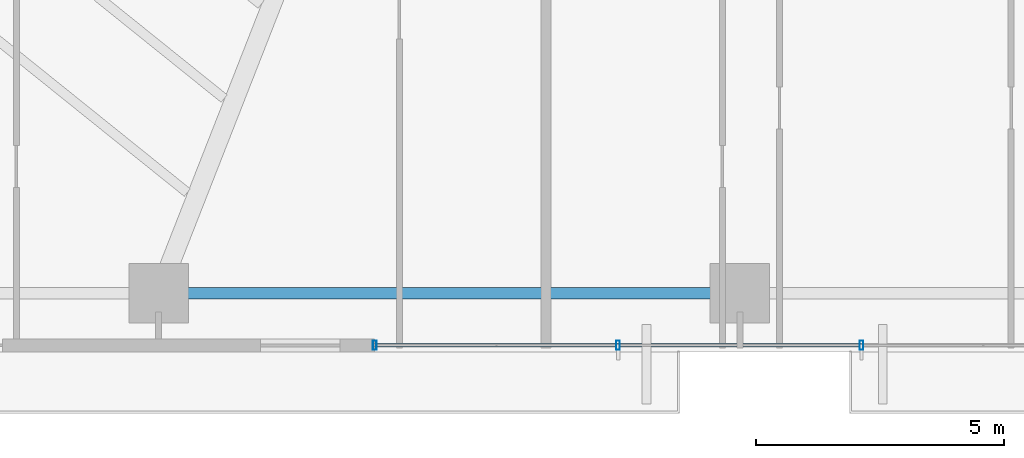
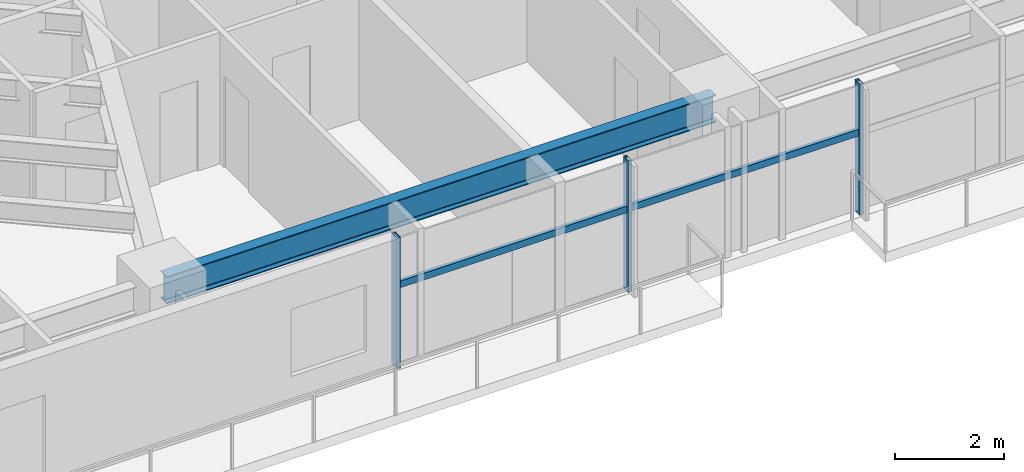
# One storey, part 6 of 25: 5 members, 1 beam, 1 element without a shape of its own.
"""IFC4 building model written with IfcOpenShell, lengths in metres."""

from ifc_helpers import new_model, si_unit, direction, frame, origin, origin_2d, place, context, subcontext, project, spatial, hollow_rectangle, i_section, extrude, source, transform, mapped, material, material_profile, profile_set, type_object, type_shapes, element, aggregate, save


model = new_model("IFC4")

# Units and contexts
model_context = context("Model", 3, precision=1e-05, world=origin(), true_north=direction((0.0, 1.0)))
body_context = subcontext(model_context, "Body", "Model", "MODEL_VIEW")
ifc_project = project(units=[si_unit("LENGTHUNIT", "METRE"), si_unit("AREAUNIT", "SQUARE_METRE"), si_unit("VOLUMEUNIT", "CUBIC_METRE"), si_unit("PLANEANGLEUNIT", "RADIAN"), si_unit("MASSUNIT", "GRAM", prefix="KILO")], contexts=[model_context])

# Site, building, storey
site_placement = place(None, origin())
site = spatial("IfcSite", under=ifc_project, at=site_placement, CompositionType="ELEMENT")
building_placement = place(site_placement, origin())
building = spatial("IfcBuilding", under=site, at=building_placement, Name="Astriad Promenade Condominiums", CompositionType="ELEMENT")
storey_placement = place(building_placement, frame((0.0, 0.0, 29.39990234375)))
storey = spatial("IfcBuildingStorey", under=building, at=storey_placement, Name="L07", CompositionType="ELEMENT", Elevation=29.39990234375)

# Beam
ifc_material_1 = material(Name="Steel ASTM A992 Grade 50", Category="steel")
ifc_material_profile_1 = material_profile(ifc_material_1, i_section(OverallWidth=0.22900390625, OverallDepth=0.612060546875, WebThickness=0.011962890625, FlangeThickness=0.01953125, FilletRadius=0.017822265625, at=origin_2d()), Name="W24X84")
ifc_profile_set_1 = profile_set([ifc_material_profile_1], Name="Steel ASTM A992 Grade 50")
beam_type = type_object("IfcBeamType", Name="STEEL SPANDREL BEAM W24X84", PredefinedType="SPANDREL", material=ifc_profile_set_1)
shared_shape_1 = source(origin(), body_context, "Body", "SweptSolid", [
    extrude(i_section(OverallWidth=0.22900390625, OverallDepth=0.612060546875, WebThickness=0.011962890625, FlangeThickness=0.01953125, FilletRadius=0.017822265625, at=origin_2d()), origin(), (0.0, 0.0, 1.0), 11.6201171875),
])
type_shapes(beam_type, [shared_shape_1])
beam_placement = place(storey_placement, frame((21.139892578125, 3.8798828125, 2.634033203125), z_axis=(1.0, 0.0, 0.0), x_axis=(0.0, 1.0, 0.0)))
element("IfcBeam", 1, at=beam_placement, inside=storey, type_object=beam_type, Name="Perimeter Spandrel Beam SP-S2-L07", PredefinedType="SPANDREL", context=body_context, shape_type="MappedRepresentation", body=[
    mapped(shared_shape_1, transform((0.0, 0.0, 0.0), scale=1.0)),
])

# Curtain wall, members
ifc_material_2 = material(Name="Anodised aluminium Black Dark Glass Unitised", Category="aluminium")
curtain_wall_type = type_object("IfcCurtainWallType", Name="CW-B1-DARK", PredefinedType="USERDEFINED", material=ifc_material_2)
curtain_wall_placement = place(storey_placement, origin())
curtain_wall = element("IfcCurtainWall", 2, at=curtain_wall_placement, inside=storey, type_object=curtain_wall_type, Name="CW-L07-S", ObjectType="UNITISED_CURTAIN_WALL", PredefinedType="USERDEFINED")
ifc_material_3 = material(Name="Anodised aluminium 6063-T6 Black", Category="aluminium")
ifc_material_profile_2 = material_profile(ifc_material_3, hollow_rectangle(XDim=0.074951171875, YDim=0.14990234375, WallThickness=0.004150390625, at=origin_2d()), Name="ALU-TRN-75X150")
ifc_profile_set_2 = profile_set([ifc_material_profile_2], Name="Anodised aluminium 6063-T6 Black")
member_type_1 = type_object("IfcMemberType", Name="TRN-ALU-TRN-75X150", PredefinedType="USERDEFINED", material=ifc_profile_set_2)
shared_shape_2 = source(origin(), body_context, "Body", "SweptSolid", [
    extrude(hollow_rectangle(XDim=0.074951171875, YDim=0.14990234375, WallThickness=0.004150390625, at=origin_2d()), origin(), (0.0, 0.0, 1.0), 4.900146484375),
])
member_1_placement = place(storey_placement, frame((30.35009765625, 2.830078125, 1.822998046875), z_axis=(-1.0, 0.0, 0.0), x_axis=(0.0, -1.0, 0.0)))
member_1 = element("IfcMember", 3, at=member_1_placement, type_object=member_type_1, Name="CW-L07-S-TRN-02-0", ObjectType="TRANSOM", PredefinedType="USERDEFINED", context=body_context, shape_type="MappedRepresentation", body=[
    mapped(shared_shape_2, transform((0.0, 0.0, 0.0), scale=1.0)),
])
shared_shape_3 = source(origin(), body_context, "Body", "SweptSolid", [
    extrude(hollow_rectangle(XDim=0.074951171875, YDim=0.14990234375, WallThickness=0.004150390625, at=origin_2d()), origin(), (0.0, 0.0, 1.0), 4.89990234375),
])
type_shapes(member_type_1, [shared_shape_2, shared_shape_3])
member_2_placement = place(storey_placement, frame((35.25, 2.830078125, 1.822998046875), z_axis=(-1.0, 0.0, 0.0), x_axis=(0.0, -1.0, 0.0)))
member_2 = element("IfcMember", 4, at=member_2_placement, type_object=member_type_1, Name="CW-L07-S-TRN-01-0", ObjectType="TRANSOM", PredefinedType="USERDEFINED", context=body_context, shape_type="MappedRepresentation", body=[
    mapped(shared_shape_3, transform((0.0, 0.0, 0.0), scale=1.0)),
])
ifc_material_profile_3 = material_profile(ifc_material_3, hollow_rectangle(XDim=0.074951171875, YDim=0.18505859375, WallThickness=0.00439453125, at=origin_2d()), Name="ALU-MUL-75X185")
ifc_profile_set_3 = profile_set([ifc_material_profile_3], Name="Anodised aluminium 6063-T6 Black")
member_type_2 = type_object("IfcMemberType", Name="MUL-ALU-MUL-75X185", PredefinedType="MULLION", material=ifc_profile_set_3)
shared_shape_4 = source(origin(), body_context, "Body", "SweptSolid", [
    extrude(hollow_rectangle(XDim=0.074951171875, YDim=0.18505859375, WallThickness=0.00439453125, at=origin_2d()), origin(), (0.0, 0.0, 1.0), 2.940185546875),
])
type_shapes(member_type_2, [shared_shape_4])
member_3_placement = place(storey_placement, frame((35.25, 2.830078125, 0.0), z_axis=(0.0, 0.0, 1.0), x_axis=(1.0, 0.0, 0.0)))
member_3 = element("IfcMember", 5, at=member_3_placement, type_object=member_type_2, Name="CW-L07-S-MUL-01", PredefinedType="MULLION", context=body_context, shape_type="MappedRepresentation", body=[
    mapped(shared_shape_4, transform((0.0, 0.0, 0.0), scale=1.0)),
])
member_4_placement = place(storey_placement, frame((30.35009765625, 2.830078125, 0.0), z_axis=(0.0, 0.0, 1.0), x_axis=(1.0, 0.0, 0.0)))
member_4 = element("IfcMember", 6, at=member_4_placement, type_object=member_type_2, Name="CW-L07-S-MUL-02", PredefinedType="MULLION", context=body_context, shape_type="MappedRepresentation", body=[
    mapped(shared_shape_4, transform((0.0, 0.0, 0.0), scale=1.0)),
])
member_5_placement = place(storey_placement, frame((25.449951171875, 2.830078125, 0.0), z_axis=(0.0, 0.0, 1.0), x_axis=(1.0, 0.0, 0.0)))
member_5 = element("IfcMember", 7, at=member_5_placement, type_object=member_type_2, Name="CW-L07-S-MUL-03", PredefinedType="MULLION", context=body_context, shape_type="MappedRepresentation", body=[
    mapped(shared_shape_4, transform((0.0, 0.0, 0.0), scale=1.0)),
])
aggregate(curtain_wall, [member_3, member_4, member_5, member_2, member_1])

save(model, "model.ifc")
